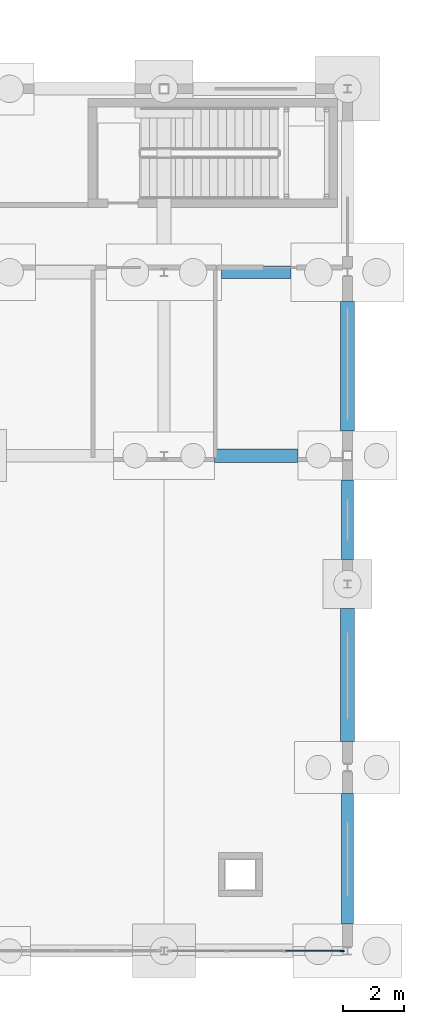
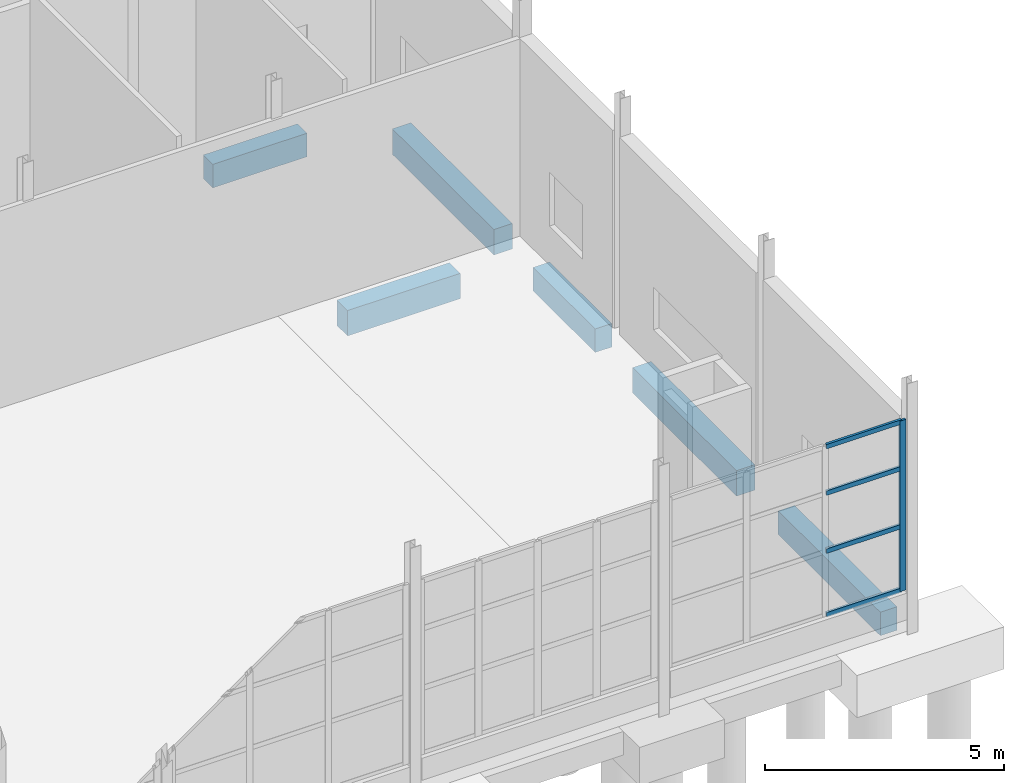
# One storey, part 59 of 120: 6 beams, 5 members, 1 element without a shape of its own.
"""IFC4 building model written with IfcOpenShell, lengths in metres."""

from ifc_helpers import new_model, si_unit, direction, frame, origin, origin_2d, place, context, subcontext, project, spatial, rectangle, extrude, material, material_profile, profile_set, type_object, element, aggregate, save


model = new_model("IFC4")

# Units and contexts
model_context = context("Model", 3, precision=1e-05, world=origin(), true_north=direction((0.0, 1.0)))
body_context = subcontext(model_context, "Body", "Model", "MODEL_VIEW")
ifc_project = project(units=[si_unit("LENGTHUNIT", "METRE"), si_unit("AREAUNIT", "SQUARE_METRE"), si_unit("VOLUMEUNIT", "CUBIC_METRE"), si_unit("PLANEANGLEUNIT", "RADIAN"), si_unit("MASSUNIT", "GRAM", prefix="KILO")], contexts=[model_context])

# Site, building, storey
site_placement = place(None, origin())
site = spatial("IfcSite", under=ifc_project, at=site_placement, CompositionType="ELEMENT")
building_placement = place(site_placement, origin())
building = spatial("IfcBuilding", under=site, at=building_placement, Name="Siltcreek Boulevard Central Fire Station", CompositionType="ELEMENT")
storey_placement = place(building_placement, origin())
storey = spatial("IfcBuildingStorey", under=building, at=storey_placement, Name="L01", CompositionType="ELEMENT", Elevation=0.0)

# Curtain wall, members
ifc_material_1 = material(Name="Anodized aluminum and low-E insulated glazing", Category="aluminium")
curtain_wall_type = type_object("IfcCurtainWallType", Name="CW_SYS_10", PredefinedType="USERDEFINED", material=ifc_material_1)
curtain_wall_placement = place(storey_placement, origin())
curtain_wall = element("IfcCurtainWall", 1, at=curtain_wall_placement, inside=storey, type_object=curtain_wall_type, Name="L01 V6 unitised curtain wall CW-189", ObjectType="CURTAIN WALL", PredefinedType="USERDEFINED")
ifc_material_2 = material(Name="Anodized 6063-T6 aluminum framing", Category="aluminium")
ifc_material_profile_1 = material_profile(ifc_material_2, rectangle(XDim=0.06005859375, YDim=0.14990234375, at=origin_2d()), Name="MULL60X150")
ifc_profile_set_1 = profile_set([ifc_material_profile_1], Name="Anodized 6063-T6 aluminum framing")
member_type_1 = type_object("IfcMemberType", Name="CWM_60X150", PredefinedType="MULLION", material=ifc_profile_set_1)
member_1_placement = place(storey_placement, frame((166.02490234375, 1.800048828125, 0.679931640625), z_axis=(0.0, 0.0, 1.0), x_axis=(0.0, 1.0, 0.0)))
member_1 = element("IfcMember", 2, at=member_1_placement, type_object=member_type_1, Name="CW-189 mullion 4", PredefinedType="MULLION", context=body_context, shape_type="SweptSolid", body=[
    extrude(rectangle(XDim=0.06005859375, YDim=0.14990234375, at=origin_2d()), origin(), (0.0, 0.0, 1.0), 4.35498046875),
])
ifc_material_profile_2 = material_profile(ifc_material_2, rectangle(XDim=0.06005859375, YDim=0.114990234375, at=origin_2d()), Name="TRAN60X115")
ifc_profile_set_2 = profile_set([ifc_material_profile_2], Name="Anodized 6063-T6 aluminum framing")
member_type_2 = type_object("IfcMemberType", Name="CWT_60X115", PredefinedType="USERDEFINED", material=ifc_profile_set_2)
member_2_placement = place(storey_placement, frame((164.181640625, 1.800048828125, 0.7099609375), z_axis=(1.0, 0.0, 0.0), x_axis=(0.0, 1.0, 0.0)))
member_2 = element("IfcMember", 3, at=member_2_placement, type_object=member_type_2, Name="CW-189 transom 3.1", ObjectType="TRANSOM", PredefinedType="USERDEFINED", context=body_context, shape_type="SweptSolid", body=[
    extrude(rectangle(XDim=0.06005859375, YDim=0.114990234375, at=origin_2d()), origin(), (0.0, 0.0, 1.0), 1.8134765625),
])
member_3_placement = place(storey_placement, frame((164.181640625, 1.800048828125, 2.3349609375), z_axis=(1.0, 0.0, 0.0), x_axis=(0.0, 1.0, 0.0)))
member_3 = element("IfcMember", 4, at=member_3_placement, type_object=member_type_2, Name="CW-189 transom 3.2", ObjectType="TRANSOM", PredefinedType="USERDEFINED", context=body_context, shape_type="SweptSolid", body=[
    extrude(rectangle(XDim=0.06005859375, YDim=0.114990234375, at=origin_2d()), origin(), (0.0, 0.0, 1.0), 1.8134765625),
])
member_4_placement = place(storey_placement, frame((164.181640625, 1.800048828125, 3.815673828125), z_axis=(1.0, 0.0, 0.0), x_axis=(0.0, 1.0, 0.0)))
member_4 = element("IfcMember", 5, at=member_4_placement, type_object=member_type_2, Name="CW-189 transom 3.3", ObjectType="TRANSOM", PredefinedType="USERDEFINED", context=body_context, shape_type="SweptSolid", body=[
    extrude(rectangle(XDim=0.06005859375, YDim=0.114990234375, at=origin_2d()), origin(), (0.0, 0.0, 1.0), 1.8134765625),
])
member_5_placement = place(storey_placement, frame((164.181640625, 1.800048828125, 5.0048828125), z_axis=(1.0, 0.0, 0.0), x_axis=(0.0, 1.0, 0.0)))
member_5 = element("IfcMember", 6, at=member_5_placement, type_object=member_type_2, Name="CW-189 transom 3.4", ObjectType="TRANSOM", PredefinedType="USERDEFINED", context=body_context, shape_type="SweptSolid", body=[
    extrude(rectangle(XDim=0.06005859375, YDim=0.114990234375, at=origin_2d()), origin(), (0.0, 0.0, 1.0), 1.8134765625),
])
aggregate(curtain_wall, [member_1, member_2, member_3, member_4, member_5])

# Beams
ifc_material_3 = material(Name="Concrete C35/45", Category="concrete")
ifc_material_profile_3 = material_profile(ifc_material_3, rectangle(XDim=0.39990234375, YDim=0.60009765625, at=origin_2d()), Name="RC400X600")
ifc_profile_set_3 = profile_set([ifc_material_profile_3], Name="Concrete C35/45")
beam_type_1 = type_object("IfcBeamType", Name="GB_RC400X600", PredefinedType="USERDEFINED", material=ifc_profile_set_3)
beam_1_placement = place(storey_placement, frame((162.076904296875, 24.0, -0.7099609375), z_axis=(1.0, 0.0, 0.0), x_axis=(0.0, 1.0, 0.0)))
element("IfcBeam", 7, at=beam_1_placement, inside=storey, type_object=beam_type_1, Name="Reinforced concrete tie grade beam GB-065", ObjectType="GRADE BEAM", PredefinedType="USERDEFINED", context=body_context, shape_type="SweptSolid", body=[
    extrude(rectangle(XDim=0.39990234375, YDim=0.60009765625, at=origin_2d()), origin(), (0.0, 0.0, 1.0), 2.27099609375),
])
beam_2_placement = place(storey_placement, frame((166.199951171875, 2.677001953125, -0.7099609375), z_axis=(0.0, 1.0, 0.0), x_axis=(-1.0, 0.0, 0.0)))
element("IfcBeam", 8, at=beam_2_placement, inside=storey, type_object=beam_type_1, Name="Reinforced concrete tie grade beam GB-231", ObjectType="GRADE BEAM", PredefinedType="USERDEFINED", context=body_context, shape_type="SweptSolid", body=[
    extrude(rectangle(XDim=0.39990234375, YDim=0.60009765625, at=origin_2d()), origin(), (0.0, 0.0, 1.0), 4.27099609375),
])
beam_3_placement = place(storey_placement, frame((166.199951171875, 14.60205078125, -0.7099609375), z_axis=(0.0, 1.0, 0.0), x_axis=(-1.0, 0.0, 0.0)))
element("IfcBeam", 9, at=beam_3_placement, inside=storey, type_object=beam_type_1, Name="Reinforced concrete tie grade beam GB-233", ObjectType="GRADE BEAM", PredefinedType="USERDEFINED", context=body_context, shape_type="SweptSolid", body=[
    extrude(rectangle(XDim=0.39990234375, YDim=0.60009765625, at=origin_2d()), origin(), (0.0, 0.0, 1.0), 2.595947265625),
])
ifc_material_profile_4 = material_profile(ifc_material_3, rectangle(XDim=0.449951171875, YDim=0.64990234375, at=origin_2d()), Name="RC450X650")
ifc_profile_set_4 = profile_set([ifc_material_profile_4], Name="Concrete C35/45")
beam_type_2 = type_object("IfcBeamType", Name="GB_RC450X650", PredefinedType="USERDEFINED", material=ifc_profile_set_4)
beam_4_placement = place(storey_placement, frame((161.85205078125, 18.0, -0.735107421875), z_axis=(1.0, 0.0, 0.0), x_axis=(0.0, 1.0, 0.0)))
element("IfcBeam", 10, at=beam_4_placement, inside=storey, type_object=beam_type_2, Name="Reinforced concrete tie grade beam GB-050", ObjectType="GRADE BEAM", PredefinedType="USERDEFINED", context=body_context, shape_type="SweptSolid", body=[
    extrude(rectangle(XDim=0.449951171875, YDim=0.64990234375, at=origin_2d()), origin(), (0.0, 0.0, 1.0), 2.720947265625),
])
beam_5_placement = place(storey_placement, frame((166.199951171875, 8.652099609375, -0.735107421875), z_axis=(0.0, 1.0, 0.0), x_axis=(-1.0, 0.0, 0.0)))
element("IfcBeam", 11, at=beam_5_placement, inside=storey, type_object=beam_type_2, Name="Reinforced concrete tie grade beam GB-232", ObjectType="GRADE BEAM", PredefinedType="USERDEFINED", context=body_context, shape_type="SweptSolid", body=[
    extrude(rectangle(XDim=0.449951171875, YDim=0.64990234375, at=origin_2d()), origin(), (0.0, 0.0, 1.0), 4.345947265625),
])
beam_6_placement = place(storey_placement, frame((166.199951171875, 18.802001953125, -0.735107421875), z_axis=(0.0, 1.0, 0.0), x_axis=(-1.0, 0.0, 0.0)))
element("IfcBeam", 12, at=beam_6_placement, inside=storey, type_object=beam_type_2, Name="Reinforced concrete tie grade beam GB-234", ObjectType="GRADE BEAM", PredefinedType="USERDEFINED", context=body_context, shape_type="SweptSolid", body=[
    extrude(rectangle(XDim=0.449951171875, YDim=0.64990234375, at=origin_2d()), origin(), (0.0, 0.0, 1.0), 4.24609375),
])

save(model, "model.ifc")
